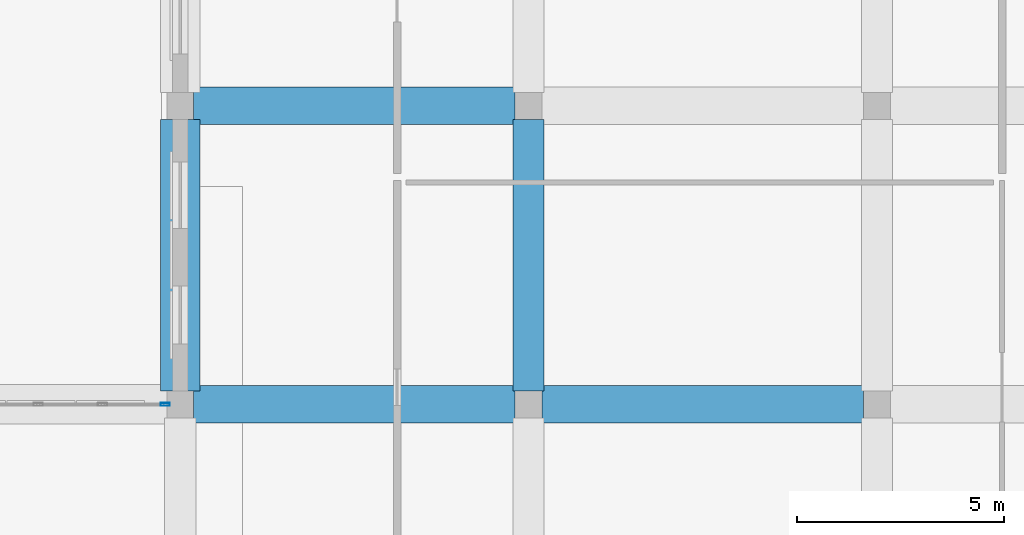
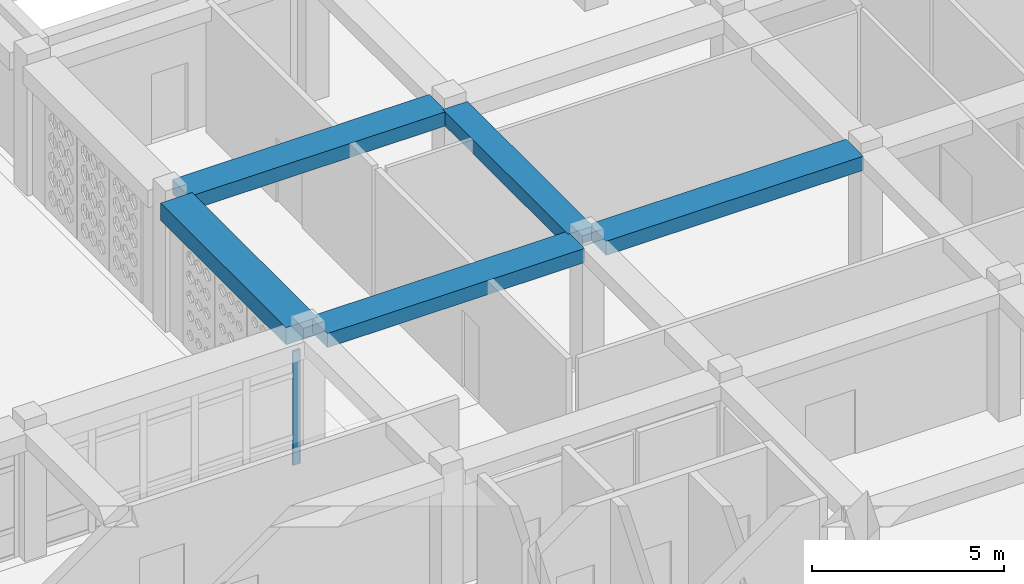
# One storey, part 13 of 79: 5 beams, 1 member, 1 element without a shape of its own.
"""IFC4 building model written with IfcOpenShell, lengths in metres."""

from ifc_helpers import new_model, si_unit, derived_unit, direction, frame, origin, origin_2d, place, context, subcontext, project, spatial, rectangle, hollow_rectangle, extrude, material, material_profile, profile_set, type_object, element, aggregate, save


model = new_model("IFC4")

# Units and contexts
model_context = context("Model", 3, precision=1e-05, world=origin(), true_north=direction((0.0, 1.0)))
body_context = subcontext(model_context, "Body", "Model", "MODEL_VIEW")
ifc_project = project(units=[si_unit("LENGTHUNIT", "METRE"), si_unit("AREAUNIT", "SQUARE_METRE"), si_unit("VOLUMEUNIT", "CUBIC_METRE"), si_unit("PLANEANGLEUNIT", "RADIAN"), si_unit("MASSUNIT", "GRAM", prefix="KILO"), derived_unit("THERMALTRANSMITTANCEUNIT", [(si_unit("POWERUNIT", "WATT"), 1), (si_unit("LENGTHUNIT", "METRE"), -2), (si_unit("THERMODYNAMICTEMPERATUREUNIT", "KELVIN"), -1)])], contexts=[model_context])

# Site, building, storey
site_placement = place(None, origin())
site = spatial("IfcSite", under=ifc_project, at=site_placement, CompositionType="ELEMENT")
building_placement = place(site_placement, origin())
building = spatial("IfcBuilding", under=site, at=building_placement, Name="Veybourne Emporium", CompositionType="ELEMENT")
storey_placement = place(building_placement, frame((0.0, 0.0, 18.89990234375)))
storey = spatial("IfcBuildingStorey", under=building, at=storey_placement, Name="L04", CompositionType="ELEMENT", Elevation=18.89990234375)

# Curtain wall, member
ifc_material_1 = material(Name="Patinated Architectural Bronze", Category="bronze")
curtain_wall_type = type_object("IfcCurtainWallType", Name="CWSystem_CWS-25", PredefinedType="NOTDEFINED", material=ifc_material_1)
curtain_wall_placement = place(storey_placement, origin())
curtain_wall = element("IfcCurtainWall", 1, at=curtain_wall_placement, inside=storey, type_object=curtain_wall_type, Name="L04 bronze glazed curtain wall CWS-25 (009)", PredefinedType="NOTDEFINED")
ifc_material_profile_1 = material_profile(ifc_material_1, hollow_rectangle(XDim=0.072021484375, YDim=0.22509765625, WallThickness=0.0048828125, InnerFilletRadius=0.007568359375, OuterFilletRadius=0.012451171875, at=origin_2d()), Name="CWM 72x225x5")
ifc_profile_set_1 = profile_set([ifc_material_profile_1], Name="Patinated Architectural Bronze")
member_type = type_object("IfcMemberType", Name="CWMullion_CW-M1", PredefinedType="MULLION", material=ifc_profile_set_1)
member_placement = place(storey_placement, frame((16.43896484375, 50.39990234375, 0.0), z_axis=(0.0, 0.0, 1.0), x_axis=(0.0, 1.0, 0.0)))
member = element("IfcMember", 2, at=member_placement, type_object=member_type, Name="CWS-25 mullion 6", PredefinedType="MULLION", context=body_context, shape_type="SweptSolid", body=[
    extrude(hollow_rectangle(XDim=0.072021484375, YDim=0.22509765625, WallThickness=0.0048828125, InnerFilletRadius=0.007568359375, OuterFilletRadius=0.012451171875, at=origin_2d()), origin(), (0.0, 0.0, 1.0), 3.630126953125),
])
aggregate(curtain_wall, [member])

# Beams
ifc_material_2 = material(Name="Concrete C32/40", Category="concrete")
ifc_material_profile_2 = material_profile(ifc_material_2, rectangle(XDim=0.89990234375, YDim=0.449951171875, at=origin_2d()), Name="RC 900x450")
ifc_profile_set_2 = profile_set([ifc_material_profile_2], Name="Concrete C32/40")
beam_type_1 = type_object("IfcBeamType", Name="RCBeam_BB-03", PredefinedType="BEAM", material=ifc_profile_set_2)
for number, where, z_axis, x_axis, name in (
    (3, (17.125, 50.39990234375, 3.955078125), (1.0, 0.0, 0.0), (0.0, 1.0, 0.0), "L04 X-grid beam BB-03 (2,7)"),
    (4, (17.125, 57.60009765625, 3.955078125), (1.0, 0.0, 0.0), (0.0, 1.0, 0.0), "L04 X-grid beam BB-03 (2,8)"),
    (5, (25.52490234375, 50.39990234375, 3.955078125), (1.0, 0.0, 0.0), (0.0, 1.0, 0.0), "L04 X-grid beam BB-03 (3,7)"),
):
    element("IfcBeam", number, at=place(storey_placement, frame(where, z_axis=z_axis, x_axis=x_axis)), inside=storey, type_object=beam_type_1, Name=name, PredefinedType="BEAM", context=body_context, shape_type="SweptSolid", body=[
        extrude(rectangle(XDim=0.89990234375, YDim=0.449951171875, at=origin_2d()), origin(), (0.0, 0.0, 1.0), 7.75),
    ])
ifc_material_profile_3 = material_profile(ifc_material_2, rectangle(XDim=0.75, YDim=0.449951171875, at=origin_2d()), Name="RC 750x450")
ifc_profile_set_3 = profile_set([ifc_material_profile_3], Name="Concrete C32/40")
beam_type_2 = type_object("IfcBeamType", Name="RCBeam_BB-04", PredefinedType="BEAM", material=ifc_profile_set_3)
beam_1_placement = place(storey_placement, frame((25.199951171875, 50.72509765625, 3.955078125), z_axis=(0.0, 1.0, 0.0), x_axis=(-1.0, 0.0, 0.0)))
element("IfcBeam", 6, at=beam_1_placement, inside=storey, type_object=beam_type_2, Name="L04 Y-grid beam BB-04 (3,7)", PredefinedType="BEAM", context=body_context, shape_type="SweptSolid", body=[
    extrude(rectangle(XDim=0.75, YDim=0.449951171875, at=origin_2d()), origin(), (0.0, 0.0, 1.0), 6.5498046875),
])
ifc_material_profile_4 = material_profile(ifc_material_2, rectangle(XDim=0.949951171875, YDim=0.550048828125, at=origin_2d()), Name="RC 950x550")
ifc_profile_set_4 = profile_set([ifc_material_profile_4], Name="Concrete C32/40")
beam_type_3 = type_object("IfcBeamType", Name="RCBeam_EB-01", PredefinedType="SPANDREL", material=ifc_profile_set_4)
beam_2_placement = place(storey_placement, frame((16.800048828125, 50.72509765625, 3.905029296875), z_axis=(0.0, 1.0, 0.0), x_axis=(-1.0, 0.0, 0.0)))
element("IfcBeam", 7, at=beam_2_placement, inside=storey, type_object=beam_type_3, Name="L04 Y-grid beam EB-01 (2,7)", PredefinedType="SPANDREL", context=body_context, shape_type="SweptSolid", body=[
    extrude(rectangle(XDim=0.949951171875, YDim=0.550048828125, at=origin_2d()), origin(), (0.0, 0.0, 1.0), 6.5498046875),
])

save(model, "model.ifc")
